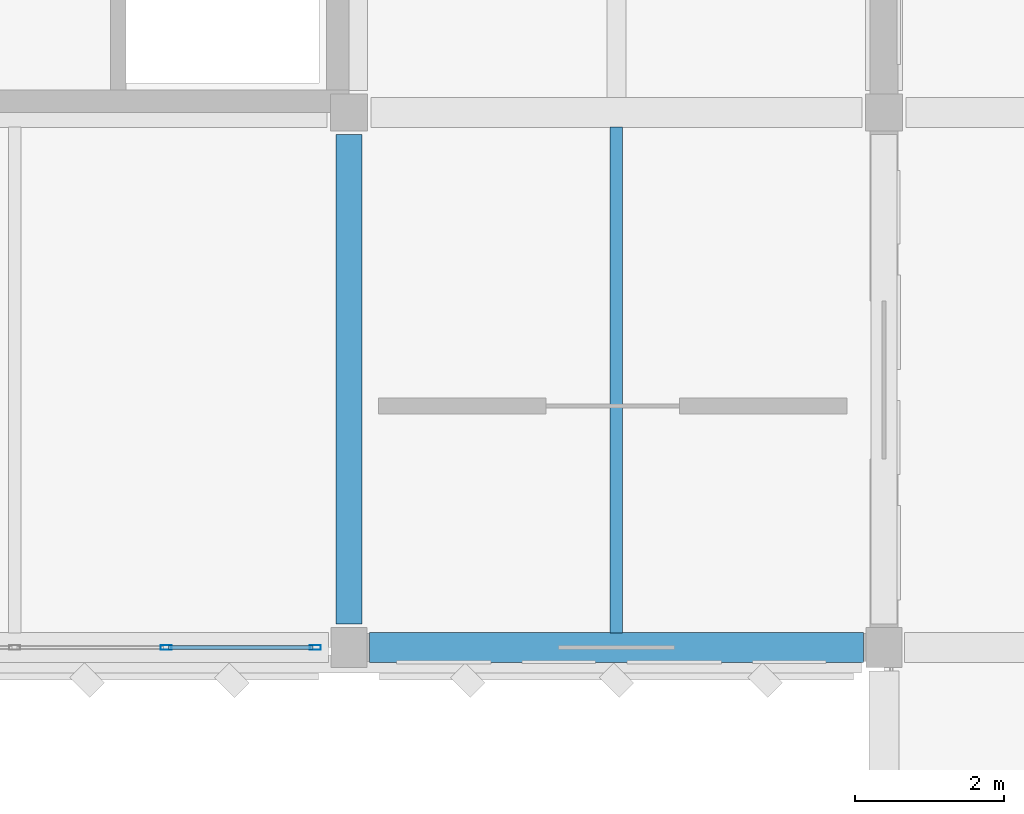
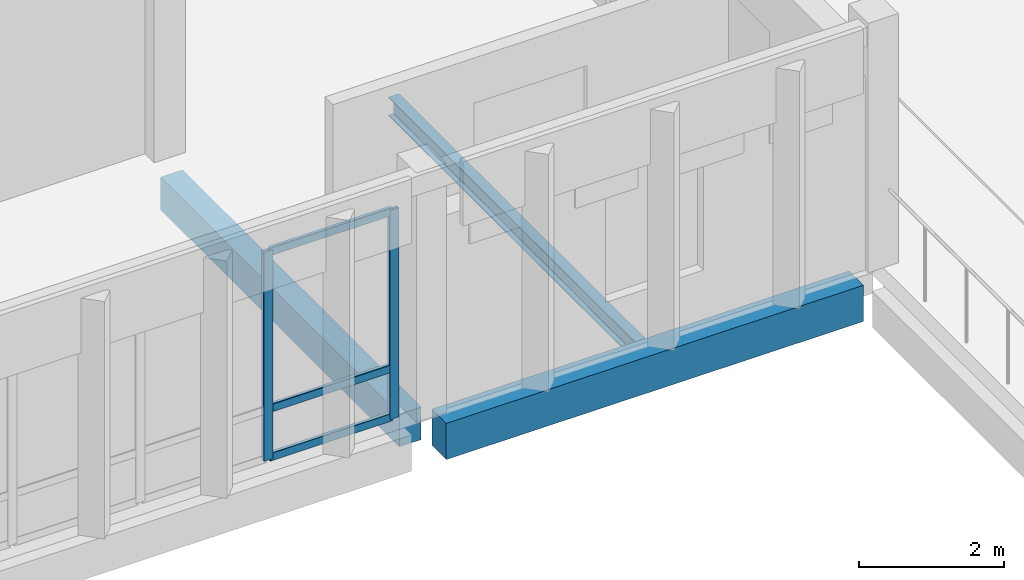
# One storey, part 43 of 72: 5 members, 3 beams, 1 element without a shape of its own.
"""IFC4 building model written with IfcOpenShell, lengths in metres."""

from ifc_helpers import new_model, si_unit, direction, frame, origin, origin_2d, place, context, subcontext, project, spatial, rectangle, hollow_rectangle, i_section, extrude, material, material_profile, profile_set, type_object, element, aggregate, save


model = new_model("IFC4")

# Units and contexts
model_context = context("Model", 3, precision=1e-05, world=origin(), true_north=direction((0.0, 1.0)))
body_context = subcontext(model_context, "Body", "Model", "MODEL_VIEW")
ifc_project = project(units=[si_unit("LENGTHUNIT", "METRE"), si_unit("AREAUNIT", "SQUARE_METRE"), si_unit("VOLUMEUNIT", "CUBIC_METRE"), si_unit("PLANEANGLEUNIT", "RADIAN"), si_unit("MASSUNIT", "GRAM", prefix="KILO")], contexts=[model_context])

# Site, building, storey
site_placement = place(None, origin())
site = spatial("IfcSite", under=ifc_project, at=site_placement, CompositionType="ELEMENT")
building_placement = place(site_placement, origin())
building = spatial("IfcBuilding", under=site, at=building_placement, Name="Lusvemor Sports Hall", CompositionType="ELEMENT")
storey_placement = place(building_placement, frame((0.0, 0.0, 15.0)))
storey = spatial("IfcBuildingStorey", under=building, at=storey_placement, Name="L03", CompositionType="ELEMENT", Elevation=15.0)

# Beam
ifc_material_1 = material(Name="Concrete C40/50", Category="concrete")
ifc_material_profile_1 = material_profile(ifc_material_1, rectangle(XDim=0.35009765625, YDim=0.550048828125, at=origin_2d()), Name="RC350x550")
ifc_profile_set_1 = profile_set([ifc_material_profile_1], Name="Concrete C40/50")
beam_type_1 = type_object("IfcBeamType", Name="BEAM_RC_550", PredefinedType="BEAM", material=ifc_profile_set_1)
beam_1_placement = place(storey_placement, frame((111.60009765625, 97.51611328125, -0.514892578125), z_axis=(0.0, 1.0, 0.0), x_axis=(-1.0, 0.0, 0.0)))
element("IfcBeam", 1, at=beam_1_placement, inside=storey, type_object=beam_type_1, Name="Beam L03 12:N-P", PredefinedType="BEAM", context=body_context, shape_type="SweptSolid", body=[
    extrude(rectangle(XDim=0.35009765625, YDim=0.550048828125, at=origin_2d()), origin(), (0.0, 0.0, 1.0), 6.587890625),
])

# Curtain wall, members
ifc_material_2 = material(Name="Thermally broken bronze-anodized aluminium", Category="aluminium")
curtain_wall_type = type_object("IfcCurtainWallType", Name="CW_WING_B", PredefinedType="NOTDEFINED", material=ifc_material_2)
curtain_wall_placement = place(storey_placement, origin())
curtain_wall = element("IfcCurtainWall", 2, at=curtain_wall_placement, inside=storey, type_object=curtain_wall_type, Name="Curtain Wall CW-L03-S-3-8", PredefinedType="NOTDEFINED")
ifc_material_3 = material(Name="Thermally broken bronze-anodized aluminium", Category="aluminium")
ifc_material_profile_2 = material_profile(ifc_material_3, hollow_rectangle(XDim=0.06494140625, YDim=0.14990234375, WallThickness=0.00390625, InnerFilletRadius=0.00390625, OuterFilletRadius=0.008056640625, at=origin_2d()), Name="CWMUL150x65x4")
ifc_profile_set_2 = profile_set([ifc_material_profile_2], Name="Thermally broken bronze-anodized aluminium")
member_type_1 = type_object("IfcMemberType", Name="CW_MUL_B", PredefinedType="MULLION", material=ifc_profile_set_2)
member_1_placement = place(storey_placement, frame((111.1474609375, 97.199951171875, 0.0), z_axis=(0.0, 0.0, 1.0), x_axis=(0.0, -1.0, 0.0)))
member_1 = element("IfcMember", 3, at=member_1_placement, type_object=member_type_1, Name="CW02 mullion 1", PredefinedType="MULLION", context=body_context, shape_type="SweptSolid", body=[
    extrude(hollow_rectangle(XDim=0.06494140625, YDim=0.14990234375, WallThickness=0.00390625, InnerFilletRadius=0.00390625, OuterFilletRadius=0.008056640625, at=origin_2d()), origin(), (0.0, 0.0, 1.0), 3.52001953125),
])
member_2_placement = place(storey_placement, frame((109.139892578125, 97.199951171875, 0.0), z_axis=(0.0, 0.0, 1.0), x_axis=(0.0, -1.0, 0.0)))
member_2 = element("IfcMember", 4, at=member_2_placement, type_object=member_type_1, Name="CW02 mullion 2", PredefinedType="MULLION", context=body_context, shape_type="SweptSolid", body=[
    extrude(hollow_rectangle(XDim=0.06494140625, YDim=0.14990234375, WallThickness=0.00390625, InnerFilletRadius=0.00390625, OuterFilletRadius=0.008056640625, at=origin_2d()), origin(), (0.0, 0.0, 1.0), 3.52001953125),
])
ifc_material_4 = material(Name="Thermally broken bronze-anodized aluminium", Category="aluminium")
ifc_material_profile_3 = material_profile(ifc_material_4, hollow_rectangle(XDim=0.06005859375, YDim=0.135009765625, WallThickness=0.00390625, InnerFilletRadius=0.00390625, OuterFilletRadius=0.008056640625, at=origin_2d()), Name="CWTRN135x60x4")
ifc_profile_set_3 = profile_set([ifc_material_profile_3], Name="Thermally broken bronze-anodized aluminium")
member_type_2 = type_object("IfcMemberType", Name="CW_TRN_B", PredefinedType="USERDEFINED", material=ifc_profile_set_3)
member_3_placement = place(storey_placement, frame((111.114990234375, 97.199951171875, 0.030029296875), z_axis=(-1.0, 0.0, 0.0), x_axis=(0.0, -1.0, 0.0)))
member_3 = element("IfcMember", 5, at=member_3_placement, type_object=member_type_2, Name="CW02 transom 1.1", ObjectType="TRANSOM", PredefinedType="USERDEFINED", context=body_context, shape_type="SweptSolid", body=[
    extrude(hollow_rectangle(XDim=0.06005859375, YDim=0.135009765625, WallThickness=0.00390625, InnerFilletRadius=0.00390625, OuterFilletRadius=0.008056640625, at=origin_2d()), origin(), (0.0, 0.0, 1.0), 1.9423828125),
])
member_4_placement = place(storey_placement, frame((111.114990234375, 97.199951171875, 0.85009765625), z_axis=(-1.0, 0.0, 0.0), x_axis=(0.0, -1.0, 0.0)))
member_4 = element("IfcMember", 6, at=member_4_placement, type_object=member_type_2, Name="CW02 transom 1.2", ObjectType="TRANSOM", PredefinedType="USERDEFINED", context=body_context, shape_type="SweptSolid", body=[
    extrude(hollow_rectangle(XDim=0.06005859375, YDim=0.135009765625, WallThickness=0.00390625, InnerFilletRadius=0.00390625, OuterFilletRadius=0.008056640625, at=origin_2d()), origin(), (0.0, 0.0, 1.0), 1.9423828125),
])
member_5_placement = place(storey_placement, frame((111.114990234375, 97.199951171875, 3.489990234375), z_axis=(-1.0, 0.0, 0.0), x_axis=(0.0, -1.0, 0.0)))
member_5 = element("IfcMember", 7, at=member_5_placement, type_object=member_type_2, Name="CW02 transom 1.3", ObjectType="TRANSOM", PredefinedType="USERDEFINED", context=body_context, shape_type="SweptSolid", body=[
    extrude(hollow_rectangle(XDim=0.06005859375, YDim=0.135009765625, WallThickness=0.00390625, InnerFilletRadius=0.00390625, OuterFilletRadius=0.008056640625, at=origin_2d()), origin(), (0.0, 0.0, 1.0), 1.9423828125),
])
aggregate(curtain_wall, [member_1, member_2, member_3, member_4, member_5])

# Beams
ifc_material_5 = material(Name="Steel S355", Category="steel")
ifc_material_profile_4 = material_profile(ifc_material_5, i_section(OverallWidth=0.1669921875, OverallDepth=0.31689453125, WebThickness=0.007568359375, FlangeThickness=0.01318359375, FilletRadius=0.014892578125, at=origin_2d()), Name="W310x52.0")
ifc_profile_set_4 = profile_set([ifc_material_profile_4], Name="Steel S355")
beam_type_2 = type_object("IfcBeamType", Name="JOIST_ST_310M", PredefinedType="JOIST", material=ifc_profile_set_4)
beam_2_placement = place(storey_placement, frame((115.199951171875, 97.39599609375, -0.402587890625), z_axis=(0.0, 1.0, 0.0), x_axis=(-1.0, 0.0, 0.0)))
element("IfcBeam", 8, at=beam_2_placement, inside=storey, type_object=beam_type_2, Name="Secondary Joist L03 12-13/N-P #1", PredefinedType="JOIST", context=body_context, shape_type="SweptSolid", body=[
    extrude(i_section(OverallWidth=0.1669921875, OverallDepth=0.31689453125, WebThickness=0.007568359375, FlangeThickness=0.01318359375, FilletRadius=0.014892578125, at=origin_2d()), origin(), (0.0, 0.0, 1.0), 6.80810546875),
])
ifc_material_6 = material(Name="Concrete C40/50", Category="concrete")
ifc_material_profile_5 = material_profile(ifc_material_6, rectangle(XDim=0.39990234375, YDim=0.610107421875, at=origin_2d()), Name="RC400x610")
ifc_profile_set_5 = profile_set([ifc_material_profile_5], Name="Concrete C40/50")
beam_type_3 = type_object("IfcBeamType", Name="SPAND_EXT_650", PredefinedType="SPANDREL", material=ifc_profile_set_5)
beam_3_placement = place(storey_placement, frame((111.8759765625, 97.199951171875, -0.544921875), z_axis=(1.0, 0.0, 0.0), x_axis=(0.0, 1.0, 0.0)))
element("IfcBeam", 9, at=beam_3_placement, inside=storey, type_object=beam_type_3, Name="Beam L03 N:12-13", PredefinedType="SPANDREL", context=body_context, shape_type="SweptSolid", body=[
    extrude(rectangle(XDim=0.39990234375, YDim=0.610107421875, at=origin_2d()), origin(), (0.0, 0.0, 1.0), 6.64794921875),
])

save(model, "model.ifc")
